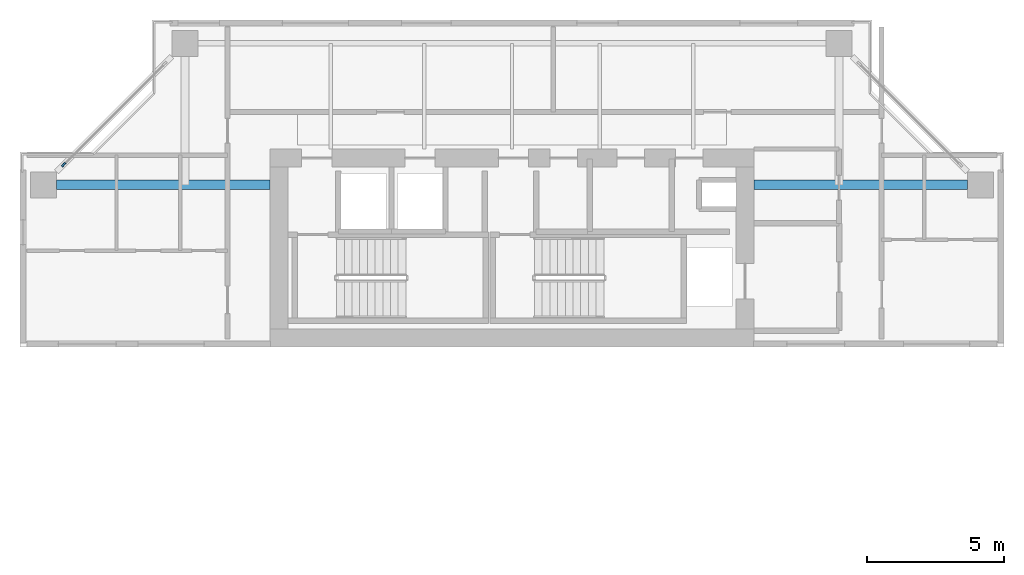
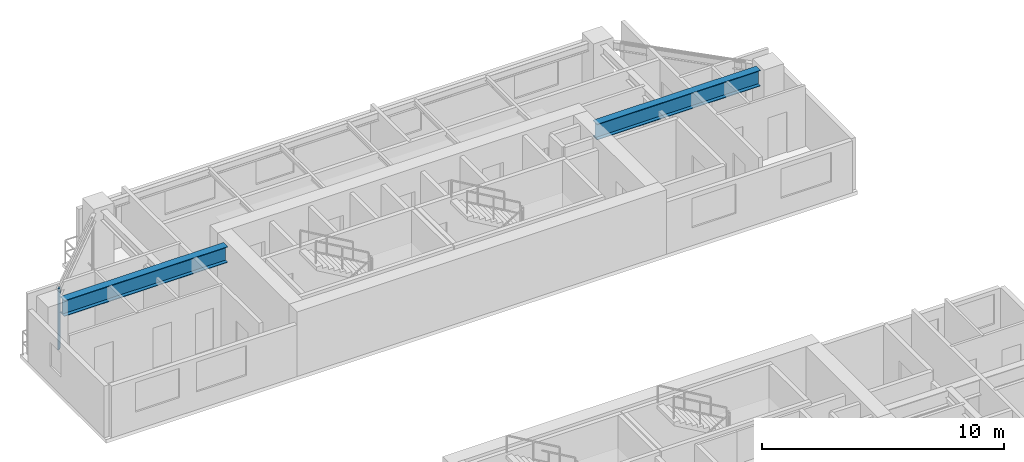
# One storey, part 3 of 12: 2 beams, 1 member, 1 element without a shape of its own.
"""IFC4 building model written with IfcOpenShell, lengths in metres."""

from ifc_helpers import new_model, si_unit, direction, frame, origin, origin_2d, place, context, subcontext, project, spatial, rectangle, i_section, extrude, source, transform, mapped, material, layer, layer_set, material_profile, profile_set, type_object, element, aggregate, save


model = new_model("IFC4")

# Units and contexts
model_context = context("Model", 3, precision=1e-05, world=origin(), true_north=direction((0.0, 1.0)))
body_context = subcontext(model_context, "Body", "Model", "MODEL_VIEW")
ifc_project = project(units=[si_unit("LENGTHUNIT", "METRE"), si_unit("AREAUNIT", "SQUARE_METRE"), si_unit("VOLUMEUNIT", "CUBIC_METRE"), si_unit("PLANEANGLEUNIT", "RADIAN"), si_unit("MASSUNIT", "GRAM", prefix="KILO"), si_unit("THERMODYNAMICTEMPERATUREUNIT", "KELVIN"), si_unit("POWERUNIT", "WATT")], contexts=[model_context])

# Site, building, storey
site_placement = place(None, origin())
site = spatial("IfcSite", under=ifc_project, at=site_placement, CompositionType="ELEMENT")
building_placement = place(site_placement, origin())
building = spatial("IfcBuilding", under=site, at=building_placement, Name="Qiaomeng Ring Towers", CompositionType="ELEMENT")
storey_placement = place(building_placement, frame((0.0, 0.0, 156.75)))
storey = spatial("IfcBuildingStorey", under=building, at=storey_placement, Name="L45", CompositionType="ELEMENT", Elevation=156.75)

# Beams
ifc_material_1 = material(Name="Steel Q390GJC", Category="steel")
ifc_material_profile_1 = material_profile(ifc_material_1, i_section(OverallWidth=0.35009765625, OverallDepth=0.800048828125, WebThickness=0.01611328125, FlangeThickness=0.028076171875, at=origin_2d()), Name="WH 800x350x16x28")
ifc_profile_set_1 = profile_set([ifc_material_profile_1], Name="Steel Q390GJC")
beam_type = type_object("IfcBeamType", Name="STR-BM-WH800", PredefinedType="BEAM", material=ifc_profile_set_1)
shared_shape_1 = source(origin(), body_context, "Body", "SweptSolid", [
    extrude(i_section(OverallWidth=0.35009765625, OverallDepth=0.800048828125, WebThickness=0.01611328125, FlangeThickness=0.028076171875, at=origin_2d()), origin(), (0.0, 0.0, 1.0), 7.77587890625),
])
for number, where, z_axis, x_axis, name in (
    (1, (2.424072265625, 34.89990234375, 2.669921875), (1.0, 0.0, 0.0), (0.0, 1.0, 0.0), "L45 beam STR-BM-L45-T1-RAD-W4"),
    (2, (27.800048828125, 34.89990234375, 2.669921875), (1.0, 0.0, 0.0), (0.0, 1.0, 0.0), "L45 beam STR-BM-L45-T1-RAD-E4"),
):
    element("IfcBeam", number, at=place(storey_placement, frame(where, z_axis=z_axis, x_axis=x_axis)), inside=storey, type_object=beam_type, Name=name, PredefinedType="BEAM", context=body_context, shape_type="MappedRepresentation", body=[
        mapped(shared_shape_1, transform((0.0, 0.0, 0.0), x_axis=(1.0, 0.0, 0.0), y_axis=(0.0, 1.0, 0.0), z_axis=(0.0, 0.0, 1.0), scale=1.0)),
    ])

# Curtain wall, member
ifc_material_2 = material(Name="Fluorocarbon dark-grey aluminium", Category="aluminium")
ifc_layer = layer(ifc_material_2, 0.14990234375, Name="Fluorocarbon dark-grey aluminium")
ifc_layer_set = layer_set([ifc_layer], Name="Fluorocarbon dark-grey aluminium")
curtain_wall_type = type_object("IfcCurtainWallType", Name="ARC-CW-3", PredefinedType="NOTDEFINED", material=ifc_layer_set)
curtain_wall_placement = place(storey_placement, origin())
curtain_wall = element("IfcCurtainWall", 3, at=curtain_wall_placement, inside=storey, type_object=curtain_wall_type, Name="L45 Curtain Wall CW3", PredefinedType="NOTDEFINED")
ifc_material_profile_2 = material_profile(ifc_material_2, rectangle(XDim=0.070068359375, YDim=0.179931640625, at=origin_2d()), Name="ALU MULL 70x180")
ifc_profile_set_2 = profile_set([ifc_material_profile_2], Name="Fluorocarbon dark-grey aluminium")
member_type = type_object("IfcMemberType", Name="ARC-CWM-160", PredefinedType="MULLION", material=ifc_profile_set_2)
shared_shape_2 = source(origin(), body_context, "Body", "SweptSolid", [
    extrude(rectangle(XDim=0.070068359375, YDim=0.179931640625, at=origin_2d()), origin(), (0.0, 0.0, 1.0), 3.070068359375),
])
member_placement = place(storey_placement, frame((2.689697265625, 35.6396484375, 0.0), z_axis=(0.0, 0.0, 1.0), x_axis=(0.707106781187, -0.707106781187, 0.0)))
member = element("IfcMember", 4, at=member_placement, type_object=member_type, Name="CW3 mullion 2", PredefinedType="MULLION", context=body_context, shape_type="MappedRepresentation", body=[
    mapped(shared_shape_2, transform((0.0, 0.0, 0.0), x_axis=(1.0, 0.0, 0.0), y_axis=(0.0, 1.0, 0.0), z_axis=(0.0, 0.0, 1.0), scale=1.0)),
])
aggregate(curtain_wall, [member])

save(model, "model.ifc")
